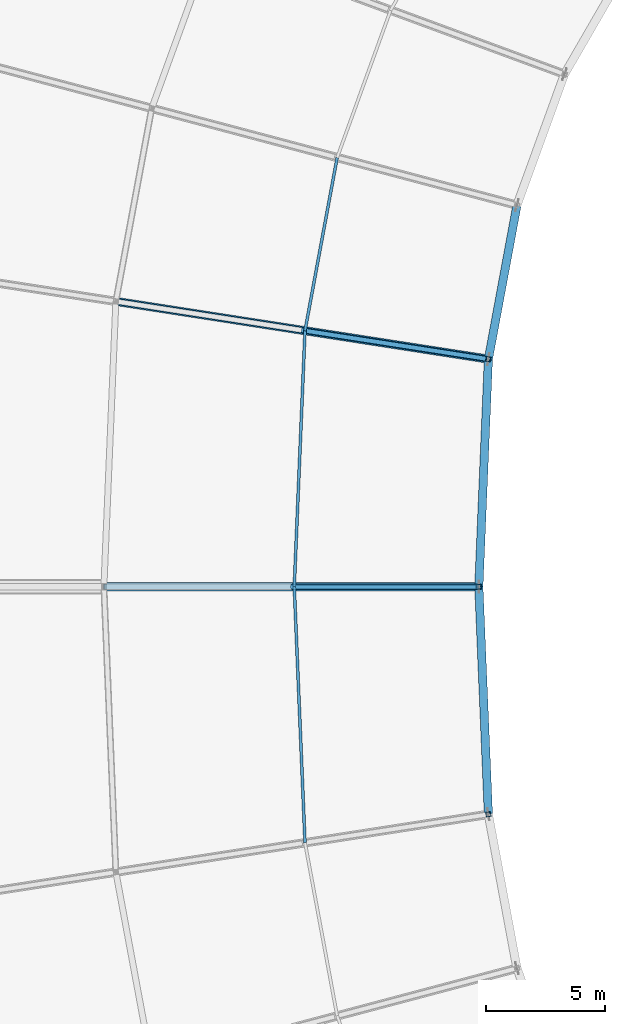
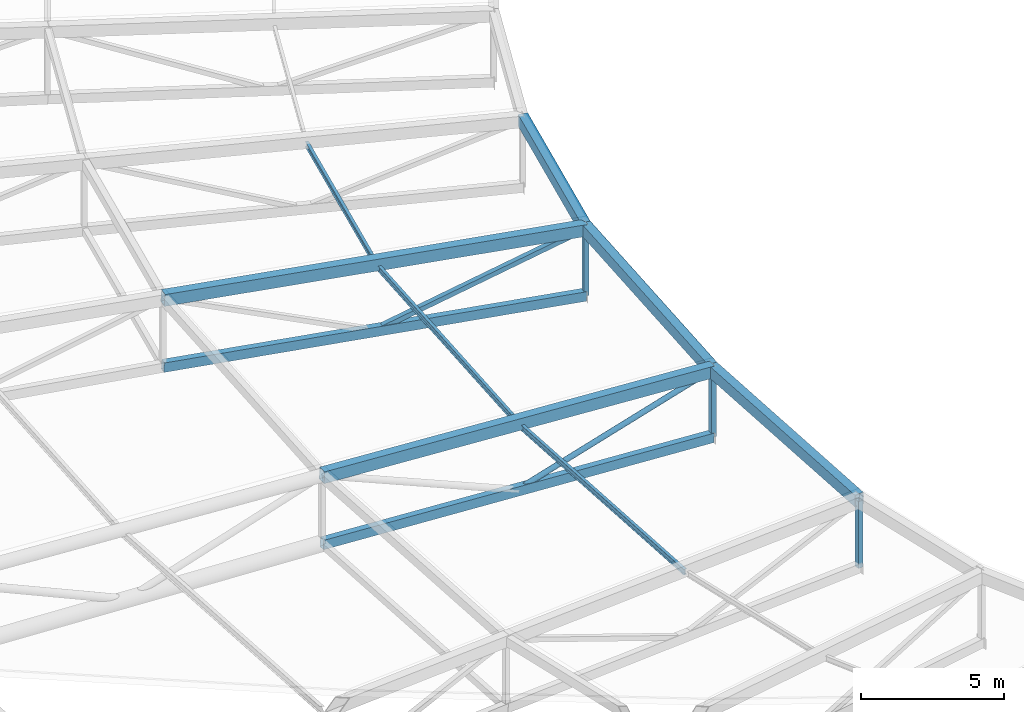
# One storey, part 43 of 143: 8 members, 7 beams.
"""IFC4 building model written with IfcOpenShell, lengths in metres."""

from ifc_helpers import new_model, si_unit, direction, frame, origin, origin_2d, place, context, subcontext, project, spatial, hollow_rectangle, hollow_circle, i_section, extrude, material, material_profile, profile_set, type_object, element, save


model = new_model("IFC4")

# Units and contexts
model_context = context("Model", 3, precision=1e-05, world=origin(), true_north=direction((0.0, 1.0)))
body_context = subcontext(model_context, "Body", "Model", "MODEL_VIEW")
ifc_project = project(units=[si_unit("LENGTHUNIT", "METRE"), si_unit("AREAUNIT", "SQUARE_METRE"), si_unit("VOLUMEUNIT", "CUBIC_METRE"), si_unit("PLANEANGLEUNIT", "RADIAN"), si_unit("MASSUNIT", "GRAM", prefix="KILO")], contexts=[model_context])

# Site, building, storey
site_placement = place(None, origin())
site = spatial("IfcSite", under=ifc_project, at=site_placement, CompositionType="ELEMENT")
building_placement = place(site_placement, origin())
building = spatial("IfcBuilding", under=site, at=building_placement, Name="Mphavela Belvedere Stadium", CompositionType="ELEMENT")
storey_placement = place(building_placement, frame((0.0, 0.0, 28.800048828125)))
storey = spatial("IfcBuildingStorey", under=building, at=storey_placement, Name="RF", CompositionType="ELEMENT", Elevation=28.800048828125)

# Beams
ifc_material_1 = material(Name="Steel S355", Category="steel")
ifc_material_profile_1 = material_profile(ifc_material_1, hollow_rectangle(XDim=0.35009765625, YDim=0.5, WallThickness=0.02001953125, at=origin_2d()), Name="RHS 500x350x20")
ifc_profile_set_1 = profile_set([ifc_material_profile_1], Name="Steel S355")
beam_type_1 = type_object("IfcBeamType", Name="BM-RING-IN", PredefinedType="BEAM", material=ifc_profile_set_1)
beam_1_placement = place(storey_placement, frame((54.523193359375, 103.03759765625, 1.88720703125), z_axis=(-0.18244542016, -0.982233072501, -0.043952928765), x_axis=(0.98318321775, -0.18262190541, 0.0)))
element("IfcBeam", 1, at=beam_1_placement, inside=storey, type_object=beam_type_1, Name="Inner tension ring beam RB-IN-23", PredefinedType="BEAM", context=body_context, shape_type="SweptSolid", body=[
    extrude(hollow_rectangle(XDim=0.35009765625, YDim=0.5, WallThickness=0.02001953125, at=origin_2d()), origin(), (0.0, 0.0, 1.0), 6.587646484375),
])
for number, where, z_axis, x_axis, name in (
    (2, (53.3212890625, 96.56689453125, 1.59765625), (-0.041914662258, -0.999068099297, -0.010300196808), (0.999121101107, -0.041916885883, 0.0), "Inner tension ring beam RB-IN-24"),
    (3, (52.919921875, 87.0, 1.4990234375), (0.041914662258, -0.999068099297, 0.010300196808), (0.999121101107, 0.041916885883, 0.0), "Inner tension ring beam RB-IN-25"),
):
    element("IfcBeam", number, at=place(storey_placement, frame(where, z_axis=z_axis, x_axis=x_axis)), inside=storey, type_object=beam_type_1, Name=name, PredefinedType="BEAM", context=body_context, shape_type="SweptSolid", body=[
        extrude(hollow_rectangle(XDim=0.35009765625, YDim=0.5, WallThickness=0.02001953125, at=origin_2d()), origin(), (0.0, 0.0, 1.0), 9.575927734375),
    ])
ifc_material_2 = material(Name="Steel S355", Category="steel")
ifc_material_profile_2 = material_profile(ifc_material_2, hollow_rectangle(XDim=0.25, YDim=0.39990234375, WallThickness=0.01611328125, at=origin_2d()), Name="RHS 400x250x16")
ifc_profile_set_2 = profile_set([ifc_material_profile_2], Name="Steel S355")
beam_type_2 = type_object("IfcBeamType", Name="BM-TRUSS-BC2", PredefinedType="BEAM", material=ifc_profile_set_2)
beam_2_placement = place(storey_placement, frame((37.66064453125, 98.995849609375, -0.285888671875), z_axis=(0.986353005441, -0.152982665344, -0.060860929684), x_axis=(0.153266782809, 0.988184847732, 0.0)))
element("IfcBeam", 4, at=beam_2_placement, inside=storey, type_object=beam_type_2, Name="Radial roof truss RT-24 bottom chord 3", PredefinedType="BEAM", context=body_context, shape_type="SweptSolid", body=[
    extrude(hollow_rectangle(XDim=0.25, YDim=0.39990234375, WallThickness=0.01611328125, at=origin_2d()), origin(), (0.0, 0.0, 1.0), 15.87744140625),
])
beam_3_placement = place(storey_placement, frame((37.157470703125, 87.0, -0.40966796875), z_axis=(0.998221242723, 0.0, -0.059618374486), x_axis=(0.0, 1.0, 0.0)))
element("IfcBeam", 5, at=beam_3_placement, inside=storey, type_object=beam_type_2, Name="Radial roof truss RT-25 bottom chord 3", PredefinedType="BEAM", context=body_context, shape_type="SweptSolid", body=[
    extrude(hollow_rectangle(XDim=0.25, YDim=0.39990234375, WallThickness=0.01611328125, at=origin_2d()), origin(), (0.0, 0.0, 1.0), 15.79052734375),
])
ifc_material_3 = material(Name="Steel S355", Category="steel")
ifc_material_profile_3 = material_profile(ifc_material_3, hollow_rectangle(XDim=0.35009765625, YDim=0.5, WallThickness=0.02001953125, at=origin_2d()), Name="RHS 500x350x20")
ifc_profile_set_3 = profile_set([ifc_material_profile_3], Name="Steel S355")
beam_type_3 = type_object("IfcBeamType", Name="BM-TRUSS-TC2", PredefinedType="BEAM", material=ifc_profile_set_3)
beam_4_placement = place(storey_placement, frame((37.66064453125, 98.995849609375, 2.614013671875), z_axis=(0.986158933324, -0.152952564893, -0.064000555599), x_axis=(0.153266782809, 0.988184847732, 0.0)))
element("IfcBeam", 6, at=beam_4_placement, inside=storey, type_object=beam_type_3, Name="Radial roof truss RT-24 top chord 3", PredefinedType="BEAM", context=body_context, shape_type="SweptSolid", body=[
    extrude(hollow_rectangle(XDim=0.35009765625, YDim=0.5, WallThickness=0.02001953125, at=origin_2d()), origin(), (0.0, 0.0, 1.0), 15.88037109375),
])
beam_5_placement = place(storey_placement, frame((37.157470703125, 87.0, 2.490234375), z_axis=(0.998028626324, 0.0, -0.062760346063), x_axis=(0.0, 1.0, 0.0)))
element("IfcBeam", 7, at=beam_5_placement, inside=storey, type_object=beam_type_3, Name="Radial roof truss RT-25 top chord 3", PredefinedType="BEAM", context=body_context, shape_type="SweptSolid", body=[
    extrude(hollow_rectangle(XDim=0.35009765625, YDim=0.5, WallThickness=0.02001953125, at=origin_2d()), origin(), (0.0, 0.0, 1.0), 15.793701171875),
])

# Members
ifc_material_4 = material(Name="Steel S355", Category="steel")
ifc_material_profile_4 = material_profile(ifc_material_4, hollow_circle(Radius=0.109619140625, WallThickness=0.012451171875, at=origin_2d()), Name="CHS 219.1x12.5")
ifc_profile_set_4 = profile_set([ifc_material_profile_4], Name="Steel S355")
member_type_1 = type_object("IfcMemberType", Name="MEM-DIAG-219", PredefinedType="BRACE", material=ifc_profile_set_4)
member_1_placement = place(storey_placement, frame((45.038818359375, 87.0, -0.88037109375), z_axis=(0.957321208507, 0.0, 0.289026129863), x_axis=(0.0, 1.0, 0.0)))
element("IfcMember", 8, at=member_1_placement, inside=storey, type_object=member_type_1, Name="Radial roof truss RT-25 web diagonal D6", PredefinedType="BRACE", context=body_context, shape_type="SweptSolid", body=[
    extrude(hollow_circle(Radius=0.109619140625, WallThickness=0.012451171875, at=origin_2d()), origin(), (0.0, 0.0, 1.0), 8.232421875),
])
ifc_material_5 = material(Name="Steel S355", Category="steel")
ifc_material_profile_5 = material_profile(ifc_material_5, hollow_rectangle(XDim=0.199951171875, YDim=0.199951171875, WallThickness=0.010009765625, at=origin_2d()), Name="SHS 200x200x10")
ifc_profile_set_5 = profile_set([ifc_material_profile_5], Name="Steel S355")
member_type_2 = type_object("IfcMemberType", Name="MEM-POST-SHS200", PredefinedType="POST", material=ifc_profile_set_5)
member_2_placement = place(storey_placement, frame((53.3212890625, 96.56689453125, -1.252197265625), z_axis=(0.0, 0.0, 1.0), x_axis=(-0.98817491911, 0.153330783737, 0.0)))
element("IfcMember", 9, at=member_2_placement, inside=storey, type_object=member_type_2, Name="Radial roof truss RT-24 post P4", PredefinedType="POST", context=body_context, shape_type="SweptSolid", body=[
    extrude(hollow_rectangle(XDim=0.199951171875, YDim=0.199951171875, WallThickness=0.010009765625, at=origin_2d()), origin(), (0.0, 0.0, 1.0), 2.849853515625),
])
member_3_placement = place(storey_placement, frame((45.490966796875, 97.781494140625, -0.76904296875), z_axis=(0.946851476158, -0.146870766498, 0.286183961895), x_axis=(0.153281826121, 0.988182514408, 0.0)))
element("IfcMember", 10, at=member_3_placement, inside=storey, type_object=member_type_2, Name="Radial roof truss RT-24 web diagonal D6", PredefinedType="POST", context=body_context, shape_type="SweptSolid", body=[
    extrude(hollow_rectangle(XDim=0.199951171875, YDim=0.199951171875, WallThickness=0.010009765625, at=origin_2d()), origin(), (0.0, 0.0, 1.0), 8.269775390625),
])
member_4_placement = place(storey_placement, frame((52.919921875, 87.0, -1.35107421875), z_axis=(0.0, 0.0, 1.0), x_axis=(-1.0, 0.0, 0.0)))
element("IfcMember", 11, at=member_4_placement, inside=storey, type_object=member_type_2, Name="Radial roof truss RT-25 post P4", PredefinedType="POST", context=body_context, shape_type="SweptSolid", body=[
    extrude(hollow_rectangle(XDim=0.199951171875, YDim=0.199951171875, WallThickness=0.010009765625, at=origin_2d()), origin(), (0.0, 0.0, 1.0), 2.85009765625),
])
member_5_placement = place(storey_placement, frame((53.3212890625, 77.43310546875, -1.252197265625), z_axis=(0.0, 0.0, 1.0), x_axis=(-0.98817491911, -0.153330783737, 0.0)))
element("IfcMember", 12, at=member_5_placement, inside=storey, type_object=member_type_2, Name="Radial roof truss RT-26 post P4", PredefinedType="POST", context=body_context, shape_type="SweptSolid", body=[
    extrude(hollow_rectangle(XDim=0.199951171875, YDim=0.199951171875, WallThickness=0.010009765625, at=origin_2d()), origin(), (0.0, 0.0, 1.0), 2.849853515625),
])
ifc_material_6 = material(Name="Steel S355", Category="steel")
ifc_material_profile_6 = material_profile(ifc_material_6, i_section(OverallWidth=0.1201171875, OverallDepth=0.239990234375, WebThickness=0.006103515625, FlangeThickness=0.009765625, at=origin_2d()), Name="IPE 240")
ifc_profile_set_6 = profile_set([ifc_material_profile_6], Name="Steel S355")
member_type_3 = type_object("IfcMemberType", Name="MEM-PURLIN-IPE240", PredefinedType="PURLIN", material=ifc_profile_set_6)
member_6_placement = place(storey_placement, frame((46.963623046875, 105.04248046875, 2.263671875), z_axis=(-0.182459485782, -0.982230898545, -0.04394312223), x_axis=(0.983180617141, -0.182635905773, 0.0)))
element("IfcMember", 13, at=member_6_placement, inside=storey, type_object=member_type_3, Name="Saddle canopy steel purlin 23-1", PredefinedType="PURLIN", context=body_context, shape_type="SweptSolid", body=[
    extrude(i_section(OverallWidth=0.1201171875, OverallDepth=0.239990234375, WebThickness=0.006103515625, FlangeThickness=0.009765625, at=origin_2d()), origin(), (0.0, 0.0, 1.0), 7.411376953125),
])
for number, where, z_axis, x_axis, name in (
    (14, (45.611328125, 97.7626953125, 1.93798828125), (-0.041903583105, -0.999068446519, -0.010311590218), (0.999121565676, -0.041905811064, 0.0), "Saddle canopy steel purlin 24-1"),
    (15, (45.159912109375, 87.0, 1.826904296875), (0.041903583105, -0.999068446519, 0.010311590218), (0.999121565676, 0.041905811064, 0.0), "Saddle canopy steel purlin 25-1"),
):
    element("IfcMember", number, at=place(storey_placement, frame(where, z_axis=z_axis, x_axis=x_axis)), inside=storey, type_object=member_type_3, Name=name, PredefinedType="PURLIN", context=body_context, shape_type="SweptSolid", body=[
        extrude(i_section(OverallWidth=0.1201171875, OverallDepth=0.239990234375, WebThickness=0.006103515625, FlangeThickness=0.009765625, at=origin_2d()), origin(), (0.0, 0.0, 1.0), 10.772705078125),
    ])

save(model, "model.ifc")
